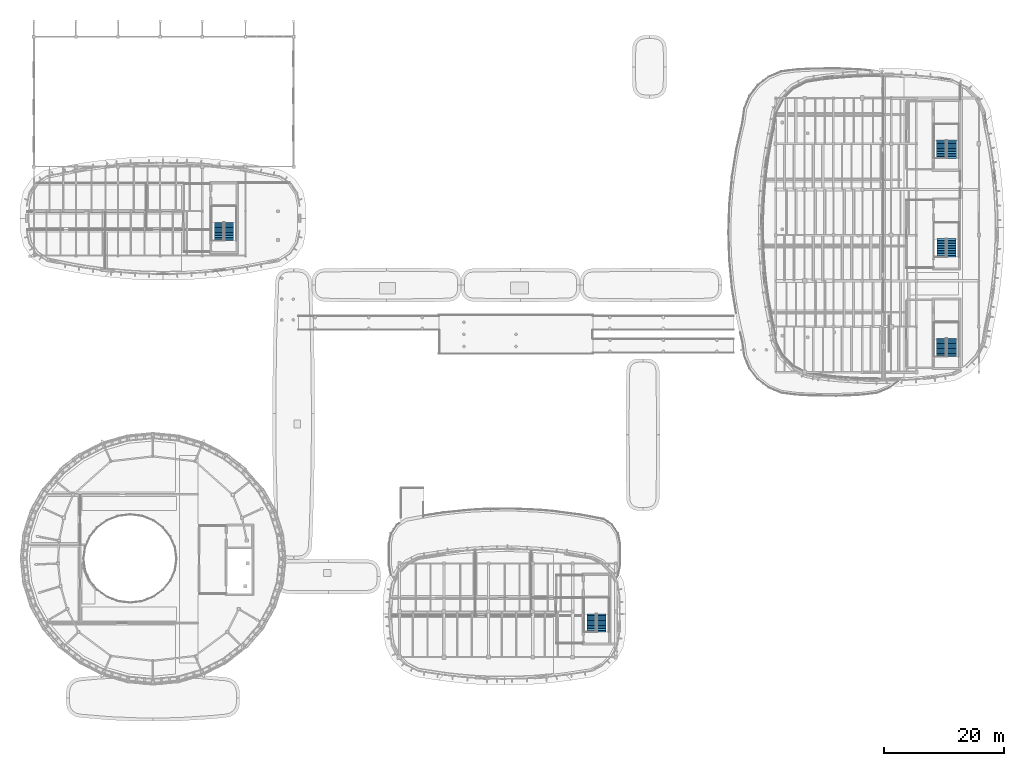
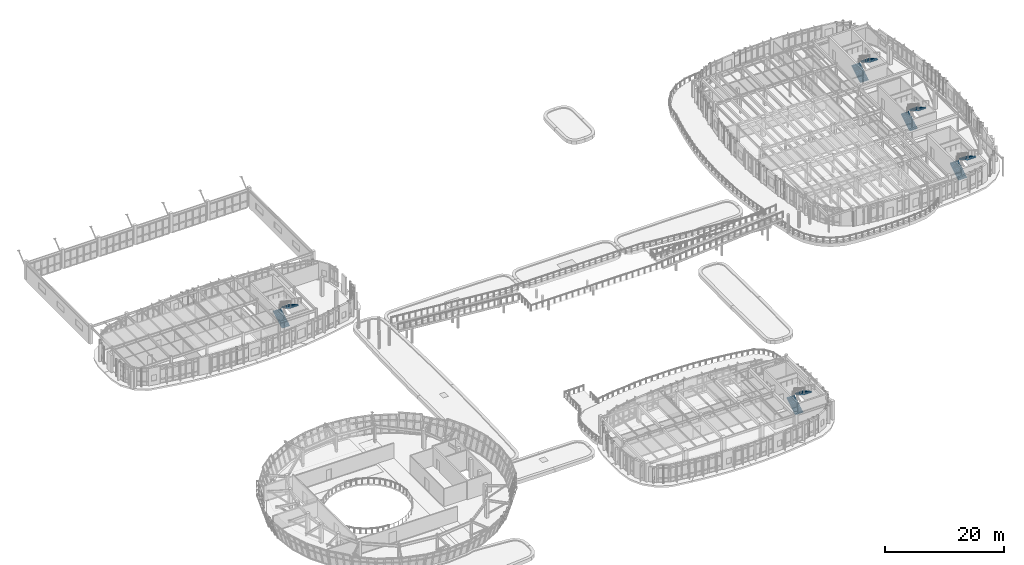
# One storey, part 90 of 111: 10 stair flights, 5 elements without a shape of their own.
"""IFC4 building model written with IfcOpenShell, lengths in metres."""

import ifcopenshell
import ifcopenshell.guid

model = None  # the IFC model being written
_history = None  # IfcOwnerHistory: only IFC2X3 demands one
_inside = {}  # id of a spatial element -> (the spatial element, [elements in it])
_under = {}  # id of a project, library or spatial element -> (it, [spatial elements below it])
_declared = {}  # id of a project -> (the project, [libraries it declares])
_typed = {}  # id of a type object -> (the type object, [elements of that type])
_made_of = {}  # id of a material, layer set ... -> (it, [elements and type objects made of it])


def new_model(schema):
    """Start an empty IFC model of exactly this schema.

    Asked for "IFC4X3", IfcOpenShell would pick the latest addendum, in which some entities
    have other attributes; the version numbers below select the first issue.
    IFC2X3 requires an IfcOwnerHistory on every rooted entity: one is made here for all.
    """
    global model, _history
    if schema == "IFC4X3":
        model = ifcopenshell.file(schema_version=(4, 3, 0, 0))
    else:
        model = ifcopenshell.file(schema=schema)
    _inside.clear()
    _under.clear()
    _declared.clear()
    _typed.clear()
    _made_of.clear()
    _history = None
    if model.schema == "IFC2X3":
        org = make("IfcOrganization", Name="unknown")
        user = make(
            "IfcPersonAndOrganization",
            ThePerson=make("IfcPerson", FamilyName="unknown"),
            TheOrganization=org,
        )
        app = make(
            "IfcApplication",
            ApplicationDeveloper=org,
            Version="unknown",
            ApplicationFullName="unknown",
            ApplicationIdentifier="unknown",
        )
        _history = make(
            "IfcOwnerHistory",
            OwningUser=user,
            OwningApplication=app,
            ChangeAction="ADDED",
            CreationDate=0,
        )
    return model


def make(cls, **values):
    """One entity of the class cls with the attributes given. An attribute that is None is left unset."""
    return model.create_entity(
        cls, **{name: value for name, value in values.items() if value is not None}
    )


def rooted(cls, **values):
    """An entity with a GlobalId (a new one), such as an element, a storey or a relation."""
    return make(cls, GlobalId=ifcopenshell.guid.new(), OwnerHistory=_history, **values)


def si_unit(unit_type, name, prefix=None):
    """IfcSIUnit, for example si_unit("LENGTHUNIT", "METRE", prefix="MILLI")."""
    return make("IfcSIUnit", UnitType=unit_type, Prefix=prefix, Name=name)


def assignment(units):
    """IfcUnitAssignment: the units of a project."""
    return None if units is None else make("IfcUnitAssignment", Units=units)


def point(xyz):
    """IfcCartesianPoint."""
    return None if xyz is None else make("IfcCartesianPoint", Coordinates=xyz)


def direction(xyz):
    """IfcDirection."""
    return None if xyz is None else make("IfcDirection", DirectionRatios=xyz)


def frame(location, z_axis=None, x_axis=None):
    """IfcAxis2Placement3D, a coordinate frame: its origin and axes. An axis left out is left unset."""
    return make(
        "IfcAxis2Placement3D",
        Location=point(location),
        Axis=direction(z_axis),
        RefDirection=direction(x_axis),
    )


def origin():
    """The frame at (0, 0, 0) with its axes left unset."""
    return frame((0.0, 0.0, 0.0))


def place(relative_to, where):
    """IfcLocalPlacement: puts the frame where relative to a parent placement (None: the world)."""
    return make(
        "IfcLocalPlacement", PlacementRelTo=relative_to, RelativePlacement=where
    )


def context(
    kind, dimensions, precision=None, world=None, true_north=None, identifier=None
):
    """IfcGeometricRepresentationContext, for example the 3D "Model" context."""
    return make(
        "IfcGeometricRepresentationContext",
        ContextIdentifier=identifier,
        ContextType=kind,
        CoordinateSpaceDimension=dimensions,
        Precision=precision,
        WorldCoordinateSystem=world,
        TrueNorth=true_north,
    )


def subcontext(parent, identifier, kind, view, scale=None):
    """IfcGeometricRepresentationSubContext, for example "Body" below "Model"."""
    return make(
        "IfcGeometricRepresentationSubContext",
        ContextIdentifier=identifier,
        ContextType=kind,
        ParentContext=parent,
        TargetScale=scale,
        TargetView=view,
    )


def project(units=None, contexts=None):
    """IfcProject with its units and contexts."""
    return rooted(
        "IfcProject",
        Name="project",
        RepresentationContexts=contexts,
        UnitsInContext=assignment(units),
    )


def spatial(cls, under=None, at=None, **own):
    """A site, building, storey or space (cls), placed at a placement, below another one or the project."""
    s = rooted(cls, ObjectPlacement=at, **own)
    if under is not None:
        _under.setdefault(under.id(), (under, []))[1].append(s)
    return s


def polyline(points):
    """IfcPolyline through the points."""
    return make("IfcPolyline", Points=[point(p) for p in points])


def outline(outer, holes=None, kind="AREA"):
    """IfcArbitraryClosedProfileDef: a profile drawn as a closed curve; with holes, ...WithVoids."""
    if holes is None:
        return make("IfcArbitraryClosedProfileDef", ProfileType=kind, OuterCurve=outer)
    return make(
        "IfcArbitraryProfileDefWithVoids",
        ProfileType=kind,
        OuterCurve=outer,
        InnerCurves=holes,
    )


def extrude(swept, where, along, depth):
    """IfcExtrudedAreaSolid: the profile swept, set in the frame where, extruded along a direction by depth."""
    return make(
        "IfcExtrudedAreaSolid",
        SweptArea=swept,
        Position=where,
        ExtrudedDirection=direction(along),
        Depth=depth,
    )


def shape(context_of_items, identifier, shape_type, items):
    """IfcShapeRepresentation: the items that make up one representation, for example the "Body"."""
    return make(
        "IfcShapeRepresentation",
        ContextOfItems=context_of_items,
        RepresentationIdentifier=identifier,
        RepresentationType=shape_type,
        Items=items,
    )


def material(Name=None, Category=None):
    """IfcMaterial."""
    return make("IfcMaterial", Name=Name, Category=Category)


def layer(
    of_material, thickness, ventilated=None, Name=None, Category=None, Priority=None
):
    """IfcMaterialLayer: one layer of a wall or slab, of a material (None: an air gap)."""
    return make(
        "IfcMaterialLayer",
        Material=of_material,
        LayerThickness=thickness,
        IsVentilated=ventilated,
        Name=Name,
        Category=Category,
        Priority=Priority,
    )


def layer_set(layers, Name=None):
    """IfcMaterialLayerSet."""
    return make("IfcMaterialLayerSet", MaterialLayers=layers, LayerSetName=Name)


def made_of(thing, what):
    """Note that an element or type object is made of a material, layer set ...; save() writes the relation."""
    if what is not None:
        _made_of.setdefault(what.id(), (what, []))[1].append(thing)
    return thing


def type_object(cls, material=None, **own):
    """A type object (cls), such as IfcWallType, which elements share."""
    return made_of(rooted(cls, **own), material)


def element(
    cls,
    number,
    at=None,
    inside=None,
    cuts=None,
    type_object=None,
    material=None,
    context=None,
    identifier="Body",
    shape_type=None,
    held_by="IfcProductDefinitionShape",
    body=None,
    shapes=None,
    **own,
):
    """One element of the class cls, such as IfcWall. Its Tag is "e" and its number.

    at: its placement. inside: the storey or other place that contains it. cuts: it is an
    opening in that element (IfcRelVoidsElement). A single representation is given by context,
    identifier, shape_type and body (its items); several are given by shapes. held_by: the class
    of the entity that holds the representations. save() writes the other relations.
    """
    e = rooted(cls, Tag="e%d" % number, ObjectPlacement=at, **own)
    if body is not None:
        shapes = [shape(context, identifier, shape_type, body)]
    if shapes is not None:
        e.Representation = make(held_by, Representations=shapes)
    if inside is not None:
        _inside.setdefault(inside.id(), (inside, []))[1].append(e)
    if cuts is not None:
        rooted(
            "IfcRelVoidsElement", RelatingBuildingElement=cuts, RelatedOpeningElement=e
        )
    if type_object is not None:
        _typed.setdefault(type_object.id(), (type_object, []))[1].append(e)
    return made_of(e, material)


def aggregate(whole, parts):
    """IfcRelAggregates: a whole, such as a stair, and the parts it consists of."""
    return rooted("IfcRelAggregates", RelatingObject=whole, RelatedObjects=parts)


def save(model, path):
    """Write the relations noted so far, then the file.

    IfcRelAggregates (storeys below a building ...), IfcRelContainedInSpatialStructure (elements
    in a storey), IfcRelDefinesByType, IfcRelAssociatesMaterial and IfcRelDeclares: one each for
    every whole, place, type object, material and project.
    """
    for whole, parts in _under.values():
        aggregate(whole, parts)
    for where, things in _inside.values():
        rooted(
            "IfcRelContainedInSpatialStructure",
            RelatedElements=things,
            RelatingStructure=where,
        )
    for kind, things in _typed.values():
        rooted("IfcRelDefinesByType", RelatedObjects=things, RelatingType=kind)
    for what, things in _made_of.values():
        rooted("IfcRelAssociatesMaterial", RelatedObjects=things, RelatingMaterial=what)
    for by, libraries in _declared.values():
        rooted("IfcRelDeclares", RelatingContext=by, RelatedDefinitions=libraries)
    model.write(path)


model = new_model("IFC4")

# Units and contexts
model_context = context("Model", 3, precision=1e-05, world=origin(), true_north=direction((0.0, 1.0)))
body_context = subcontext(model_context, "Body", "Model", "MODEL_VIEW")
ifc_project = project(units=[si_unit("LENGTHUNIT", "METRE"), si_unit("AREAUNIT", "SQUARE_METRE"), si_unit("VOLUMEUNIT", "CUBIC_METRE"), si_unit("PLANEANGLEUNIT", "RADIAN"), si_unit("MASSUNIT", "GRAM", prefix="KILO")], contexts=[model_context])

# Site, building, storey
site_placement = place(None, origin())
site = spatial("IfcSite", under=ifc_project, at=site_placement, CompositionType="ELEMENT")
building_placement = place(site_placement, origin())
building = spatial("IfcBuilding", under=site, at=building_placement, Name="Corveleigh Park Community Centre", CompositionType="ELEMENT")
storey_placement = place(building_placement, frame((0.0, 0.0, 4.800048828125)))
storey = spatial("IfcBuildingStorey", under=building, at=storey_placement, Name="L01", CompositionType="ELEMENT", Elevation=4.800048828125)

# Stair, stair flights
ifc_material = material(Name="Concrete C32/40", Category="concrete")
stair_type_1 = type_object("IfcStairType", Name="STR-HT-1500-390", PredefinedType="USERDEFINED", material=ifc_material)
stair_1_placement = place(storey_placement, origin())
stair_1 = element("IfcStair", 1, at=stair_1_placement, inside=storey, type_object=stair_type_1, Name="Protected escape stair ST3 (L01 to L02)", ObjectType="TWO_RETURN_STAIR", PredefinedType="USERDEFINED")
ifc_layer_1 = layer(ifc_material, 0.175048828125, Name="Concrete C32/40", Category="concrete")
ifc_layer_set_1 = layer_set([ifc_layer_1], Name="Concrete C32/40")
stair_flight_type_1 = type_object("IfcStairFlightType", Name="FLG-RC-1500", PredefinedType="STRAIGHT", material=ifc_layer_set_1)
stair_flight_1_placement = place(storey_placement, frame((41.97998046875, 80.47998046875, 0.0), z_axis=(0.0, 0.0, 1.0), x_axis=(0.0, 1.0, 0.0)))
stair_flight_1 = element("IfcStairFlight", 2, at=stair_flight_1_placement, type_object=stair_flight_type_1, Name="ST3 flight 1", NumberOfRisers=12, NumberOfTreads=11, PredefinedType="STRAIGHT", RiserHeight=0.1625, TreadLength=0.275, context=body_context, shape_type="SweptSolid", body=[
    extrude(outline(polyline([(0.0, 0.0), (0.0, 0.16259765625), (0.27490234375, 0.16259765625), (0.27490234375, 0.324951171875), (0.550048828125, 0.324951171875), (0.550048828125, 0.487548828125), (0.824951171875, 0.487548828125), (0.824951171875, 0.64990234375), (1.10009765625, 0.64990234375), (1.10009765625, 0.8125), (1.375, 0.8125), (1.375, 0.97509765625), (1.64990234375, 0.97509765625), (1.64990234375, 1.137451171875), (1.925048828125, 1.137451171875), (1.925048828125, 1.300048828125), (2.199951171875, 1.300048828125), (2.199951171875, 1.46240234375), (2.47509765625, 1.46240234375), (2.47509765625, 1.625), (2.75, 1.625), (2.75, 1.78759765625), (3.02490234375, 1.78759765625), (3.02490234375, 1.949951171875), (3.02490234375, 1.584228515625), (0.343994140625, 0.0), (0.0, 0.0)])), frame((0.0, 0.75, 0.0), z_axis=(0.0, -1.0, 0.0), x_axis=(1.0, 0.0, 0.0)), (0.0, 0.0, 1.0), 1.5),
])
stair_flight_2_placement = place(storey_placement, frame((43.6201171875, 83.5048828125, 1.949951171875), z_axis=(0.0, 0.0, 1.0), x_axis=(0.0, -1.0, 0.0)))
stair_flight_2 = element("IfcStairFlight", 3, at=stair_flight_2_placement, type_object=stair_flight_type_1, Name="ST3 flight 2", NumberOfRisers=12, NumberOfTreads=11, PredefinedType="STRAIGHT", RiserHeight=0.1625, TreadLength=0.275, context=body_context, shape_type="SweptSolid", body=[
    extrude(outline(polyline([(0.0, 0.0), (0.0, 0.16259765625), (0.27490234375, 0.16259765625), (0.27490234375, 0.324951171875), (0.550048828125, 0.324951171875), (0.550048828125, 0.487548828125), (0.824951171875, 0.487548828125), (0.824951171875, 0.64990234375), (1.10009765625, 0.64990234375), (1.10009765625, 0.8125), (1.375, 0.8125), (1.375, 0.97509765625), (1.64990234375, 0.97509765625), (1.64990234375, 1.137451171875), (1.925048828125, 1.137451171875), (1.925048828125, 1.300048828125), (2.199951171875, 1.300048828125), (2.199951171875, 1.46240234375), (2.47509765625, 1.46240234375), (2.47509765625, 1.625), (2.75, 1.625), (2.75, 1.78759765625), (3.02490234375, 1.78759765625), (3.02490234375, 1.949951171875), (3.02490234375, 1.584228515625), (0.343994140625, 0.0), (0.0, 0.0)])), frame((0.0, 0.75, 0.0), z_axis=(0.0, -1.0, 0.0), x_axis=(1.0, 0.0, 0.0)), (0.0, 0.0, 1.0), 1.5),
])
aggregate(stair_1, [stair_flight_1, stair_flight_2])

stair_2_placement = place(storey_placement, origin())
stair_2 = element("IfcStair", 4, at=stair_2_placement, inside=storey, type_object=stair_type_1, Name="Protected escape stair ST4 (L01 to L02)", ObjectType="TWO_RETURN_STAIR", PredefinedType="USERDEFINED")
stair_flight_3_placement = place(storey_placement, frame((103.97998046875, 15.3798828125, 0.0), z_axis=(0.0, 0.0, 1.0), x_axis=(0.0, 1.0, 0.0)))
stair_flight_3 = element("IfcStairFlight", 5, at=stair_flight_3_placement, type_object=stair_flight_type_1, Name="ST4 flight 1", NumberOfRisers=12, NumberOfTreads=11, PredefinedType="STRAIGHT", RiserHeight=0.1625, TreadLength=0.275, context=body_context, shape_type="SweptSolid", body=[
    extrude(outline(polyline([(0.0, 0.0), (0.0, 0.16259765625), (0.27490234375, 0.16259765625), (0.27490234375, 0.324951171875), (0.550048828125, 0.324951171875), (0.550048828125, 0.487548828125), (0.824951171875, 0.487548828125), (0.824951171875, 0.64990234375), (1.10009765625, 0.64990234375), (1.10009765625, 0.8125), (1.375, 0.8125), (1.375, 0.97509765625), (1.64990234375, 0.97509765625), (1.64990234375, 1.137451171875), (1.925048828125, 1.137451171875), (1.925048828125, 1.300048828125), (2.199951171875, 1.300048828125), (2.199951171875, 1.46240234375), (2.47509765625, 1.46240234375), (2.47509765625, 1.625), (2.75, 1.625), (2.75, 1.78759765625), (3.02490234375, 1.78759765625), (3.02490234375, 1.949951171875), (3.02490234375, 1.584228515625), (0.343994140625, 0.0), (0.0, 0.0)])), frame((0.0, 0.75, 0.0), z_axis=(0.0, -1.0, 0.0), x_axis=(1.0, 0.0, 0.0)), (0.0, 0.0, 1.0), 1.5),
])
stair_flight_4_placement = place(storey_placement, frame((105.6201171875, 18.405029296875, 1.949951171875), z_axis=(0.0, 0.0, 1.0), x_axis=(0.0, -1.0, 0.0)))
stair_flight_4 = element("IfcStairFlight", 6, at=stair_flight_4_placement, type_object=stair_flight_type_1, Name="ST4 flight 2", NumberOfRisers=12, NumberOfTreads=11, PredefinedType="STRAIGHT", RiserHeight=0.1625, TreadLength=0.275, context=body_context, shape_type="SweptSolid", body=[
    extrude(outline(polyline([(0.0, 0.0), (0.0, 0.16259765625), (0.27490234375, 0.16259765625), (0.27490234375, 0.324951171875), (0.550048828125, 0.324951171875), (0.550048828125, 0.487548828125), (0.824951171875, 0.487548828125), (0.824951171875, 0.64990234375), (1.10009765625, 0.64990234375), (1.10009765625, 0.8125), (1.375, 0.8125), (1.375, 0.97509765625), (1.64990234375, 0.97509765625), (1.64990234375, 1.137451171875), (1.925048828125, 1.137451171875), (1.925048828125, 1.300048828125), (2.199951171875, 1.300048828125), (2.199951171875, 1.46240234375), (2.47509765625, 1.46240234375), (2.47509765625, 1.625), (2.75, 1.625), (2.75, 1.78759765625), (3.02490234375, 1.78759765625), (3.02490234375, 1.949951171875), (3.02490234375, 1.584228515625), (0.343994140625, 0.0), (0.0, 0.0)])), frame((0.0, 0.75, 0.0), z_axis=(0.0, -1.0, 0.0), x_axis=(1.0, 0.0, 0.0)), (0.0, 0.0, 1.0), 1.5),
])
aggregate(stair_2, [stair_flight_3, stair_flight_4])

stair_3_placement = place(storey_placement, origin())
stair_3 = element("IfcStair", 7, at=stair_3_placement, inside=storey, type_object=stair_type_1, Name="Protected escape stair ST6 (L01 to L02)", ObjectType="TWO_RETURN_STAIR", PredefinedType="USERDEFINED")
stair_flight_5_placement = place(storey_placement, frame((162.179931640625, 77.780029296875, 0.0), z_axis=(0.0, 0.0, 1.0), x_axis=(0.0, 1.0, 0.0)))
stair_flight_5 = element("IfcStairFlight", 8, at=stair_flight_5_placement, type_object=stair_flight_type_1, Name="ST6 flight 1", NumberOfRisers=12, NumberOfTreads=11, PredefinedType="STRAIGHT", RiserHeight=0.1625, TreadLength=0.275, context=body_context, shape_type="SweptSolid", body=[
    extrude(outline(polyline([(0.0, 0.0), (0.0, 0.16259765625), (0.27490234375, 0.16259765625), (0.27490234375, 0.324951171875), (0.550048828125, 0.324951171875), (0.550048828125, 0.487548828125), (0.824951171875, 0.487548828125), (0.824951171875, 0.64990234375), (1.10009765625, 0.64990234375), (1.10009765625, 0.8125), (1.375, 0.8125), (1.375, 0.97509765625), (1.64990234375, 0.97509765625), (1.64990234375, 1.137451171875), (1.925048828125, 1.137451171875), (1.925048828125, 1.300048828125), (2.199951171875, 1.300048828125), (2.199951171875, 1.46240234375), (2.47509765625, 1.46240234375), (2.47509765625, 1.625), (2.75, 1.625), (2.75, 1.78759765625), (3.02490234375, 1.78759765625), (3.02490234375, 1.949951171875), (3.02490234375, 1.584228515625), (0.343994140625, 0.0), (0.0, 0.0)])), frame((0.0, 0.75, 0.0), z_axis=(0.0, -1.0, 0.0), x_axis=(1.0, 0.0, 0.0)), (0.0, 0.0, 1.0), 1.5),
])
stair_flight_6_placement = place(storey_placement, frame((163.820068359375, 80.804931640625, 1.949951171875), z_axis=(0.0, 0.0, 1.0), x_axis=(0.0, -1.0, 0.0)))
stair_flight_6 = element("IfcStairFlight", 9, at=stair_flight_6_placement, type_object=stair_flight_type_1, Name="ST6 flight 2", NumberOfRisers=12, NumberOfTreads=11, PredefinedType="STRAIGHT", RiserHeight=0.1625, TreadLength=0.275, context=body_context, shape_type="SweptSolid", body=[
    extrude(outline(polyline([(0.0, 0.0), (0.0, 0.16259765625), (0.27490234375, 0.16259765625), (0.27490234375, 0.324951171875), (0.550048828125, 0.324951171875), (0.550048828125, 0.487548828125), (0.824951171875, 0.487548828125), (0.824951171875, 0.64990234375), (1.10009765625, 0.64990234375), (1.10009765625, 0.8125), (1.375, 0.8125), (1.375, 0.97509765625), (1.64990234375, 0.97509765625), (1.64990234375, 1.137451171875), (1.925048828125, 1.137451171875), (1.925048828125, 1.300048828125), (2.199951171875, 1.300048828125), (2.199951171875, 1.46240234375), (2.47509765625, 1.46240234375), (2.47509765625, 1.625), (2.75, 1.625), (2.75, 1.78759765625), (3.02490234375, 1.78759765625), (3.02490234375, 1.949951171875), (3.02490234375, 1.584228515625), (0.343994140625, 0.0), (0.0, 0.0)])), frame((0.0, 0.75, 0.0), z_axis=(0.0, -1.0, 0.0), x_axis=(1.0, 0.0, 0.0)), (0.0, 0.0, 1.0), 1.5),
])
aggregate(stair_3, [stair_flight_5, stair_flight_6])

stair_type_2 = type_object("IfcStairType", Name="STR-HT-1600-390", PredefinedType="USERDEFINED", material=ifc_material)
stair_4_placement = place(storey_placement, origin())
stair_4 = element("IfcStair", 10, at=stair_4_placement, inside=storey, type_object=stair_type_2, Name="Protected escape stair ST1 (L01 to L02)", ObjectType="TWO_RETURN_STAIR", PredefinedType="USERDEFINED")
ifc_layer_2 = layer(ifc_material, 0.179931640625, Name="Concrete C32/40", Category="concrete")
ifc_layer_set_2 = layer_set([ifc_layer_2], Name="Concrete C32/40")
stair_flight_type_2 = type_object("IfcStairFlightType", Name="FLG-RC-1600", PredefinedType="STRAIGHT", material=ifc_layer_set_2)
stair_flight_7_placement = place(storey_placement, frame((162.1298828125, 61.179931640625, 0.0), z_axis=(0.0, 0.0, 1.0), x_axis=(0.0, 1.0, 0.0)))
stair_flight_7 = element("IfcStairFlight", 11, at=stair_flight_7_placement, type_object=stair_flight_type_2, Name="ST1 flight 1", NumberOfRisers=12, NumberOfTreads=11, PredefinedType="STRAIGHT", RiserHeight=0.1625, TreadLength=0.275, context=body_context, shape_type="SweptSolid", body=[
    extrude(outline(polyline([(0.0, 0.0), (0.0, 0.16259765625), (0.27490234375, 0.16259765625), (0.27490234375, 0.324951171875), (0.550048828125, 0.324951171875), (0.550048828125, 0.487548828125), (0.824951171875, 0.487548828125), (0.824951171875, 0.64990234375), (1.10009765625, 0.64990234375), (1.10009765625, 0.8125), (1.375, 0.8125), (1.375, 0.97509765625), (1.64990234375, 0.97509765625), (1.64990234375, 1.137451171875), (1.925048828125, 1.137451171875), (1.925048828125, 1.300048828125), (2.199951171875, 1.300048828125), (2.199951171875, 1.46240234375), (2.47509765625, 1.46240234375), (2.47509765625, 1.625), (2.75, 1.625), (2.75, 1.78759765625), (3.02490234375, 1.78759765625), (3.02490234375, 1.949951171875), (3.02490234375, 1.57861328125), (0.353759765625, 0.0), (0.0, 0.0)])), frame((0.0, 0.800048828125, 0.0), z_axis=(0.0, -1.0, 0.0), x_axis=(1.0, 0.0, 0.0)), (0.0, 0.0, 1.0), 1.60009765625),
])
stair_flight_8_placement = place(storey_placement, frame((163.8701171875, 64.205078125, 1.949951171875), z_axis=(0.0, 0.0, 1.0), x_axis=(0.0, -1.0, 0.0)))
stair_flight_8 = element("IfcStairFlight", 12, at=stair_flight_8_placement, type_object=stair_flight_type_2, Name="ST1 flight 2", NumberOfRisers=12, NumberOfTreads=11, PredefinedType="STRAIGHT", RiserHeight=0.1625, TreadLength=0.275, context=body_context, shape_type="SweptSolid", body=[
    extrude(outline(polyline([(0.0, 0.0), (0.0, 0.16259765625), (0.27490234375, 0.16259765625), (0.27490234375, 0.324951171875), (0.550048828125, 0.324951171875), (0.550048828125, 0.487548828125), (0.824951171875, 0.487548828125), (0.824951171875, 0.64990234375), (1.10009765625, 0.64990234375), (1.10009765625, 0.8125), (1.375, 0.8125), (1.375, 0.97509765625), (1.64990234375, 0.97509765625), (1.64990234375, 1.137451171875), (1.925048828125, 1.137451171875), (1.925048828125, 1.300048828125), (2.199951171875, 1.300048828125), (2.199951171875, 1.46240234375), (2.47509765625, 1.46240234375), (2.47509765625, 1.625), (2.75, 1.625), (2.75, 1.78759765625), (3.02490234375, 1.78759765625), (3.02490234375, 1.949951171875), (3.02490234375, 1.57861328125), (0.353759765625, 0.0), (0.0, 0.0)])), frame((0.0, 0.800048828125, 0.0), z_axis=(0.0, -1.0, 0.0), x_axis=(1.0, 0.0, 0.0)), (0.0, 0.0, 1.0), 1.60009765625),
])
aggregate(stair_4, [stair_flight_7, stair_flight_8])

stair_5_placement = place(storey_placement, origin())
stair_5 = element("IfcStair", 13, at=stair_5_placement, inside=storey, type_object=stair_type_2, Name="Protected escape stair ST2 (L01 to L02)", ObjectType="TWO_RETURN_STAIR", PredefinedType="USERDEFINED")
stair_flight_9_placement = place(storey_placement, frame((162.1298828125, 94.179931640625, 0.0), z_axis=(0.0, 0.0, 1.0), x_axis=(0.0, 1.0, 0.0)))
stair_flight_9 = element("IfcStairFlight", 14, at=stair_flight_9_placement, type_object=stair_flight_type_2, Name="ST2 flight 1", NumberOfRisers=12, NumberOfTreads=11, PredefinedType="STRAIGHT", RiserHeight=0.1625, TreadLength=0.275, context=body_context, shape_type="SweptSolid", body=[
    extrude(outline(polyline([(0.0, 0.0), (0.0, 0.16259765625), (0.27490234375, 0.16259765625), (0.27490234375, 0.324951171875), (0.550048828125, 0.324951171875), (0.550048828125, 0.487548828125), (0.824951171875, 0.487548828125), (0.824951171875, 0.64990234375), (1.10009765625, 0.64990234375), (1.10009765625, 0.8125), (1.375, 0.8125), (1.375, 0.97509765625), (1.64990234375, 0.97509765625), (1.64990234375, 1.137451171875), (1.925048828125, 1.137451171875), (1.925048828125, 1.300048828125), (2.199951171875, 1.300048828125), (2.199951171875, 1.46240234375), (2.47509765625, 1.46240234375), (2.47509765625, 1.625), (2.75, 1.625), (2.75, 1.78759765625), (3.02490234375, 1.78759765625), (3.02490234375, 1.949951171875), (3.02490234375, 1.57861328125), (0.353759765625, 0.0), (0.0, 0.0)])), frame((0.0, 0.800048828125, 0.0), z_axis=(0.0, -1.0, 0.0), x_axis=(1.0, 0.0, 0.0)), (0.0, 0.0, 1.0), 1.60009765625),
])
stair_flight_10_placement = place(storey_placement, frame((163.8701171875, 97.205078125, 1.949951171875), z_axis=(0.0, 0.0, 1.0), x_axis=(0.0, -1.0, 0.0)))
stair_flight_10 = element("IfcStairFlight", 15, at=stair_flight_10_placement, type_object=stair_flight_type_2, Name="ST2 flight 2", NumberOfRisers=12, NumberOfTreads=11, PredefinedType="STRAIGHT", RiserHeight=0.1625, TreadLength=0.275, context=body_context, shape_type="SweptSolid", body=[
    extrude(outline(polyline([(0.0, 0.0), (0.0, 0.16259765625), (0.27490234375, 0.16259765625), (0.27490234375, 0.324951171875), (0.550048828125, 0.324951171875), (0.550048828125, 0.487548828125), (0.824951171875, 0.487548828125), (0.824951171875, 0.64990234375), (1.10009765625, 0.64990234375), (1.10009765625, 0.8125), (1.375, 0.8125), (1.375, 0.97509765625), (1.64990234375, 0.97509765625), (1.64990234375, 1.137451171875), (1.925048828125, 1.137451171875), (1.925048828125, 1.300048828125), (2.199951171875, 1.300048828125), (2.199951171875, 1.46240234375), (2.47509765625, 1.46240234375), (2.47509765625, 1.625), (2.75, 1.625), (2.75, 1.78759765625), (3.02490234375, 1.78759765625), (3.02490234375, 1.949951171875), (3.02490234375, 1.57861328125), (0.353759765625, 0.0), (0.0, 0.0)])), frame((0.0, 0.800048828125, 0.0), z_axis=(0.0, -1.0, 0.0), x_axis=(1.0, 0.0, 0.0)), (0.0, 0.0, 1.0), 1.60009765625),
])
aggregate(stair_5, [stair_flight_9, stair_flight_10])

save(model, "model.ifc")
